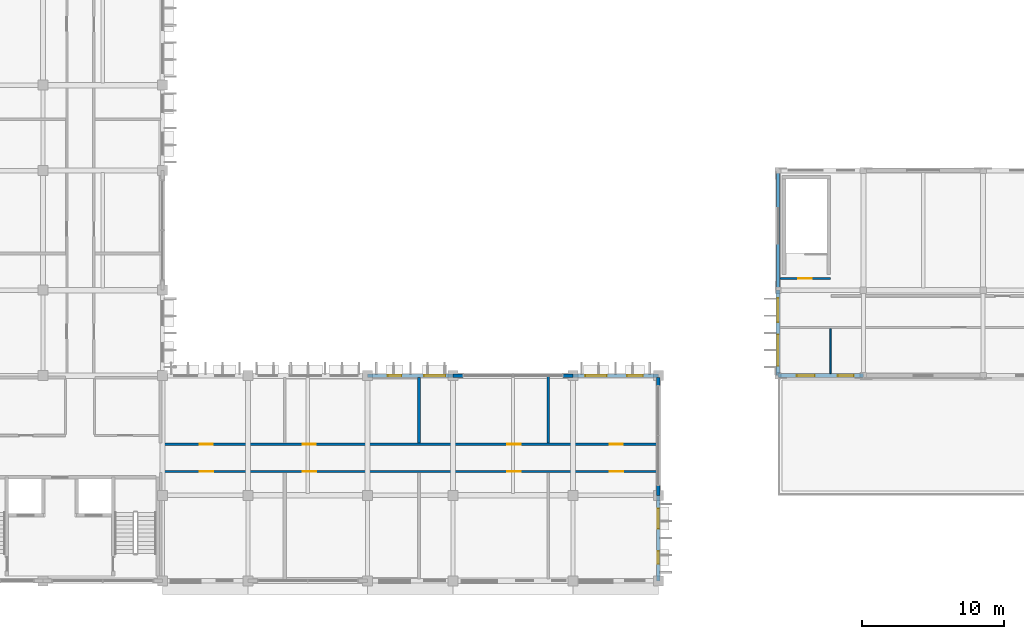
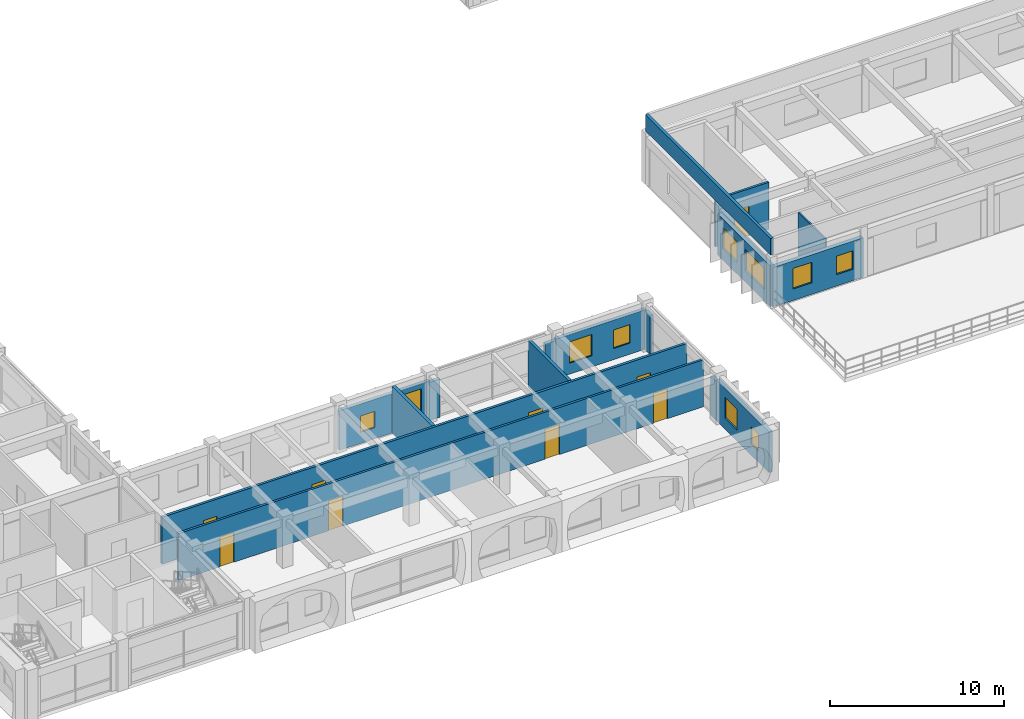
# One storey, part 48 of 88: 16 walls, 10 windows, 9 doors, 19 openings.
"""IFC4 building model written with IfcOpenShell, lengths in metres."""

from ifc_helpers import new_model, si_unit, direction, frame, frame_2d, origin, place, context, subcontext, project, spatial, rectangle, extrude, material, layer, layer_set, type_object, element, fill, save


model = new_model("IFC4")

# Units and contexts
model_context = context("Model", 3, precision=1e-05, world=origin(), true_north=direction((0.0, 1.0)))
body_context = subcontext(model_context, "Body", "Model", "MODEL_VIEW")
ifc_project = project(units=[si_unit("LENGTHUNIT", "METRE"), si_unit("AREAUNIT", "SQUARE_METRE"), si_unit("VOLUMEUNIT", "CUBIC_METRE"), si_unit("PLANEANGLEUNIT", "RADIAN"), si_unit("MASSUNIT", "GRAM", prefix="KILO"), si_unit("THERMODYNAMICTEMPERATUREUNIT", "KELVIN")], contexts=[model_context])

# Site, building, storey
site_placement = place(None, origin())
site = spatial("IfcSite", under=ifc_project, at=site_placement, CompositionType="ELEMENT")
building_placement = place(site_placement, origin())
building = spatial("IfcBuilding", under=site, at=building_placement, Name="Thalorik Housing Commons", CompositionType="ELEMENT")
storey_placement = place(building_placement, frame((0.0, 0.0, 4.5)))
storey = spatial("IfcBuildingStorey", under=building, at=storey_placement, Name="L01", CompositionType="ELEMENT", Elevation=4.5)

# Wall, openings, doors
ifc_material_1 = material(Name="Masonry fire-rated corridor wall", Category="masonry")
ifc_layer_1 = layer(ifc_material_1, 0.14990234375, Name="Masonry fire-rated corridor wall", Category="masonry")
ifc_layer_set_1 = layer_set([ifc_layer_1], Name="Masonry fire-rated corridor wall")
wall_type_1 = type_object("IfcWallType", Name="ARC-WAL-CORR-150", PredefinedType="PARTITIONING", material=ifc_layer_set_1)
wall_1_placement = place(storey_placement, frame((22.659912109375, 16.080078125, 0.0), z_axis=(0.0, 0.0, 1.0), x_axis=(1.0, 0.0, 0.0)))
wall_1 = element("IfcWall", 1, at=wall_1_placement, inside=storey, type_object=wall_type_1, Name="L01 Block C S Corridor Wall 1", PredefinedType="PARTITIONING", context=body_context, shape_type="SweptSolid", body=[
    extrude(rectangle(XDim=34.880126953125, YDim=0.14990234375, at=frame_2d((17.43994140625, 0.0))), origin(), (0.0, 0.0, 1.0), 3.300048828125),
])
opening_1_placement = place(wall_1_placement, frame((2.7490234375, 0.0, 0.0)))
opening_1 = element("IfcOpeningElement", 2, at=opening_1_placement, cuts=wall_1, Name="Opening ID-1594", PredefinedType="OPENING", context=body_context, shape_type="SweptSolid", body=[
    extrude(rectangle(XDim=0.949951171875, YDim=2.10009765625, at=frame_2d((0.47509765625, 1.050048828125))), frame((0.0, 0.0849609375, 0.0), z_axis=(0.0, -1.0, 0.0), x_axis=(1.0, 0.0, 0.0)), (0.0, 0.0, 1.0), 0.169921875),
])
opening_2_placement = place(wall_1_placement, frame((9.96630859375, 0.0, 0.0)))
opening_2 = element("IfcOpeningElement", 3, at=opening_2_placement, cuts=wall_1, Name="Opening ID-1595", PredefinedType="OPENING", context=body_context, shape_type="SweptSolid", body=[
    extrude(rectangle(XDim=0.949951171875, YDim=2.10009765625, at=frame_2d((0.47509765625, 1.050048828125))), frame((0.0, 0.0849609375, 0.0), z_axis=(0.0, -1.0, 0.0), x_axis=(1.0, 0.0, 0.0)), (0.0, 0.0, 1.0), 0.169921875),
])
opening_3_placement = place(wall_1_placement, frame((24.343017578125, 0.0, 0.0)))
opening_3 = element("IfcOpeningElement", 4, at=opening_3_placement, cuts=wall_1, Name="Opening ID-1596", PredefinedType="OPENING", context=body_context, shape_type="SweptSolid", body=[
    extrude(rectangle(XDim=0.949951171875, YDim=2.10009765625, at=frame_2d((0.47509765625, 1.050048828125))), frame((0.0, 0.0849609375, 0.0), z_axis=(0.0, -1.0, 0.0), x_axis=(1.0, 0.0, 0.0)), (0.0, 0.0, 1.0), 0.169921875),
])
opening_4_placement = place(wall_1_placement, frame((31.5419921875, 0.0, 0.0)))
opening_4 = element("IfcOpeningElement", 5, at=opening_4_placement, cuts=wall_1, Name="Opening ID-1597", PredefinedType="OPENING", context=body_context, shape_type="SweptSolid", body=[
    extrude(rectangle(XDim=0.949951171875, YDim=2.10009765625, at=frame_2d((0.47509765625, 1.050048828125))), frame((0.0, 0.0849609375, 0.0), z_axis=(0.0, -1.0, 0.0), x_axis=(1.0, 0.0, 0.0)), (0.0, 0.0, 1.0), 0.169921875),
])
ifc_material_2 = material(Name="Steel S355", Category="steel")
door_type_1 = type_object("IfcDoorType", Name="ARC-DR-FD60-950", OperationType="NOTDEFINED", PredefinedType="DOOR", material=ifc_material_2)
door_1_placement = place(opening_1_placement, origin())
door_1 = element("IfcDoor", 6, at=door_1_placement, inside=storey, type_object=door_type_1, Name="L01 Community Study Hall Entrance Door", OperationType="SINGLE_SWING_LEFT", OverallHeight=2.10009765625, OverallWidth=0.949951171875, PredefinedType="DOOR", context=body_context, shape_type="SweptSolid", body=[
    extrude(rectangle(XDim=0.949951171875, YDim=2.10009765625, at=frame_2d((0.47509765625, 1.050048828125))), frame((0.0, 0.02490234375, 0.0), z_axis=(0.0, -1.0, 0.0), x_axis=(1.0, 0.0, 0.0)), (0.0, 0.0, 1.0), 0.050048828125),
])
fill(opening_1, door_1)
door_2_placement = place(opening_2_placement, origin())
door_2 = element("IfcDoor", 7, at=door_2_placement, inside=storey, type_object=door_type_1, Name="L01 Shared Sewing Workshop Entrance Door", OperationType="SINGLE_SWING_RIGHT", OverallHeight=2.10009765625, OverallWidth=0.949951171875, PredefinedType="DOOR", context=body_context, shape_type="SweptSolid", body=[
    extrude(rectangle(XDim=0.949951171875, YDim=2.10009765625, at=frame_2d((0.47509765625, 1.050048828125))), frame((0.0, 0.02490234375, 0.0), z_axis=(0.0, -1.0, 0.0), x_axis=(1.0, 0.0, 0.0)), (0.0, 0.0, 1.0), 0.050048828125),
])
fill(opening_2, door_2)
door_3_placement = place(opening_3_placement, origin())
door_3 = element("IfcDoor", 8, at=door_3_placement, inside=storey, type_object=door_type_1, Name="L01 Digital Media Room Entrance Door", OperationType="SINGLE_SWING_LEFT", OverallHeight=2.10009765625, OverallWidth=0.949951171875, PredefinedType="DOOR", context=body_context, shape_type="SweptSolid", body=[
    extrude(rectangle(XDim=0.949951171875, YDim=2.10009765625, at=frame_2d((0.47509765625, 1.050048828125))), frame((0.0, 0.02490234375, 0.0), z_axis=(0.0, -1.0, 0.0), x_axis=(1.0, 0.0, 0.0)), (0.0, 0.0, 1.0), 0.050048828125),
])
fill(opening_3, door_3)
door_4_placement = place(opening_4_placement, origin())
door_4 = element("IfcDoor", 9, at=door_4_placement, inside=storey, type_object=door_type_1, Name="L01 Youth Reading Room Entrance Door", OperationType="SINGLE_SWING_RIGHT", OverallHeight=2.10009765625, OverallWidth=0.949951171875, PredefinedType="DOOR", context=body_context, shape_type="SweptSolid", body=[
    extrude(rectangle(XDim=0.949951171875, YDim=2.10009765625, at=frame_2d((0.47509765625, 1.050048828125))), frame((0.0, 0.02490234375, 0.0), z_axis=(0.0, -1.0, 0.0), x_axis=(1.0, 0.0, 0.0)), (0.0, 0.0, 1.0), 0.050048828125),
])
fill(opening_4, door_4)

ifc_layer_2 = layer(ifc_material_1, 0.1650390625, Name="Masonry fire-rated corridor wall", Category="masonry")
ifc_layer_set_2 = layer_set([ifc_layer_2], Name="Masonry fire-rated corridor wall")
wall_type_2 = type_object("IfcWallType", Name="ARC-WAL-CORR-165", PredefinedType="PARTITIONING", material=ifc_layer_set_2)
wall_2_placement = place(storey_placement, frame((22.659912109375, 17.97998046875, 0.0), z_axis=(0.0, 0.0, 1.0), x_axis=(1.0, 0.0, 0.0)))
wall_2 = element("IfcWall", 10, at=wall_2_placement, inside=storey, type_object=wall_type_2, Name="L01 Block C S Corridor Wall 2", PredefinedType="PARTITIONING", context=body_context, shape_type="SweptSolid", body=[
    extrude(rectangle(XDim=34.880126953125, YDim=0.1650390625, at=frame_2d((17.43994140625, 0.0))), origin(), (0.0, 0.0, 1.0), 3.300048828125),
])
opening_5_placement = place(wall_2_placement, frame((2.74560546875, 0.0, 0.0)))
opening_5 = element("IfcOpeningElement", 11, at=opening_5_placement, cuts=wall_2, Name="Opening ID-1598", PredefinedType="OPENING", context=body_context, shape_type="SweptSolid", body=[
    extrude(rectangle(XDim=0.919921875, YDim=2.10009765625, at=frame_2d((0.4599609375, 1.050048828125))), frame((0.0, 0.092529296875, 0.0), z_axis=(0.0, -1.0, 0.0), x_axis=(1.0, 0.0, 0.0)), (0.0, 0.0, 1.0), 0.18505859375),
])
opening_6_placement = place(wall_2_placement, frame((9.965087890625, 0.0, 0.0)))
opening_6 = element("IfcOpeningElement", 12, at=opening_6_placement, cuts=wall_2, Name="Opening ID-1599", PredefinedType="OPENING", context=body_context, shape_type="SweptSolid", body=[
    extrude(rectangle(XDim=0.919921875, YDim=2.10009765625, at=frame_2d((0.4599609375, 1.050048828125))), frame((0.0, 0.092529296875, 0.0), z_axis=(0.0, -1.0, 0.0), x_axis=(1.0, 0.0, 0.0)), (0.0, 0.0, 1.0), 0.18505859375),
])
opening_7_placement = place(wall_2_placement, frame((24.335205078125, 0.0, 0.0)))
opening_7 = element("IfcOpeningElement", 13, at=opening_7_placement, cuts=wall_2, Name="Opening ID-1600", PredefinedType="OPENING", context=body_context, shape_type="SweptSolid", body=[
    extrude(rectangle(XDim=0.9599609375, YDim=2.1201171875, at=frame_2d((0.47998046875, 1.06005859375))), frame((0.0, 0.092529296875, 0.0), z_axis=(0.0, -1.0, 0.0), x_axis=(1.0, 0.0, 0.0)), (0.0, 0.0, 1.0), 0.18505859375),
])
opening_8_placement = place(wall_2_placement, frame((31.535400390625, 0.0, 0.0)))
opening_8 = element("IfcOpeningElement", 14, at=opening_8_placement, cuts=wall_2, Name="Opening ID-1601", PredefinedType="OPENING", context=body_context, shape_type="SweptSolid", body=[
    extrude(rectangle(XDim=0.919921875, YDim=2.10009765625, at=frame_2d((0.4599609375, 1.050048828125))), frame((0.0, 0.092529296875, 0.0), z_axis=(0.0, -1.0, 0.0), x_axis=(1.0, 0.0, 0.0)), (0.0, 0.0, 1.0), 0.18505859375),
])
ifc_material_3 = material(Name="Solid core hardwood timber", Category="wood")
door_type_2 = type_object("IfcDoorType", Name="ARC-DR-FD30-920", OperationType="NOTDEFINED", PredefinedType="DOOR", material=ifc_material_3)
door_5_placement = place(opening_5_placement, origin())
door_5 = element("IfcDoor", 15, at=door_5_placement, inside=storey, type_object=door_type_2, Name="L01 Music and Craft Practice Room Door", OperationType="SINGLE_SWING_LEFT", OverallHeight=2.10009765625, OverallWidth=0.919921875, PredefinedType="DOOR", context=body_context, shape_type="SweptSolid", body=[
    extrude(rectangle(XDim=0.919921875, YDim=2.10009765625, at=frame_2d((0.4599609375, 1.050048828125))), frame((0.0, 0.02490234375, 0.0), z_axis=(0.0, -1.0, 0.0), x_axis=(1.0, 0.0, 0.0)), (0.0, 0.0, 1.0), 0.050048828125),
])
fill(opening_5, door_5)
door_6_placement = place(opening_6_placement, origin())
door_6 = element("IfcDoor", 16, at=door_6_placement, inside=storey, type_object=door_type_2, Name="L01 Ceramics and Print Workshop Door", OperationType="SINGLE_SWING_RIGHT", OverallHeight=2.10009765625, OverallWidth=0.919921875, PredefinedType="DOOR", context=body_context, shape_type="SweptSolid", body=[
    extrude(rectangle(XDim=0.919921875, YDim=2.10009765625, at=frame_2d((0.4599609375, 1.050048828125))), frame((0.0, 0.02490234375, 0.0), z_axis=(0.0, -1.0, 0.0), x_axis=(1.0, 0.0, 0.0)), (0.0, 0.0, 1.0), 0.050048828125),
])
fill(opening_6, door_6)
door_7_placement = place(opening_8_placement, origin())
door_7 = element("IfcDoor", 17, at=door_7_placement, inside=storey, type_object=door_type_2, Name="L01 Residents Study Room Door", OperationType="SINGLE_SWING_RIGHT", OverallHeight=2.10009765625, OverallWidth=0.919921875, PredefinedType="DOOR", context=body_context, shape_type="SweptSolid", body=[
    extrude(rectangle(XDim=0.919921875, YDim=2.10009765625, at=frame_2d((0.4599609375, 1.050048828125))), frame((0.0, 0.02490234375, 0.0), z_axis=(0.0, -1.0, 0.0), x_axis=(1.0, 0.0, 0.0)), (0.0, 0.0, 1.0), 0.050048828125),
])
fill(opening_8, door_7)
door_type_3 = type_object("IfcDoorType", Name="ARC-DR-FD30-960", OperationType="NOTDEFINED", PredefinedType="DOOR", material=ifc_material_3)
door_8_placement = place(opening_7_placement, origin())
door_8 = element("IfcDoor", 18, at=door_8_placement, inside=storey, type_object=door_type_3, Name="L01 Residents Health and Quiet Room Door", OperationType="SINGLE_SWING_LEFT", OverallHeight=2.1201171875, OverallWidth=0.9599609375, PredefinedType="DOOR", context=body_context, shape_type="SweptSolid", body=[
    extrude(rectangle(XDim=0.9599609375, YDim=2.1201171875, at=frame_2d((0.47998046875, 1.06005859375))), frame((0.0, 0.02490234375, 0.0), z_axis=(0.0, -1.0, 0.0), x_axis=(1.0, 0.0, 0.0)), (0.0, 0.0, 1.0), 0.050048828125),
])
fill(opening_7, door_8)

# Wall, openings, windows
ifc_material_4 = material(Name="White precast concrete C40/50", Category="concrete")
ifc_layer_3 = layer(ifc_material_4, 0.235107421875, Name="White precast concrete C40/50", Category="concrete")
ifc_layer_set_3 = layer_set([ifc_layer_3], Name="White precast concrete C40/50")
wall_type_3 = type_object("IfcWallType", Name="ARC-WAL-EXT-235", PredefinedType="STANDARD", material=ifc_layer_set_3)
wall_3_placement = place(storey_placement, frame((57.60009765625, 8.39990234375, 0.0), z_axis=(0.0, 0.0, 1.0), x_axis=(0.0, 1.0, 0.0)))
wall_3 = element("IfcWall", 19, at=wall_3_placement, inside=storey, type_object=wall_type_3, Name="L01 Exterior Wall WAL-EXT-L01-C-0870", PredefinedType="STANDARD", context=body_context, shape_type="SweptSolid", body=[
    extrude(rectangle(XDim=6.0, YDim=0.235107421875, at=frame_2d((3.0, 0.0))), origin(), (0.0, 0.0, 1.0), 2.875),
])
opening_9_placement = place(wall_3_placement, frame((1.179931640625, 0.0, 0.780029296875)))
opening_9 = element("IfcOpeningElement", 20, at=opening_9_placement, cuts=wall_3, Name="Opening W-01", PredefinedType="OPENING", context=body_context, shape_type="SweptSolid", body=[
    extrude(rectangle(XDim=0.89990234375, YDim=1.199951171875, at=frame_2d((0.449951171875, 0.60009765625))), frame((0.0, 0.12744140625, 0.0), z_axis=(0.0, -1.0, 0.0), x_axis=(1.0, 0.0, 0.0)), (0.0, 0.0, 1.0), 0.255126953125),
])
opening_10_placement = place(wall_3_placement, frame((3.669921875, 0.0, 0.780029296875)))
opening_10 = element("IfcOpeningElement", 21, at=opening_10_placement, cuts=wall_3, Name="Opening W-08", PredefinedType="OPENING", context=body_context, shape_type="SweptSolid", body=[
    extrude(rectangle(XDim=1.39990234375, YDim=1.449951171875, at=frame_2d((0.699951171875, 0.72509765625))), frame((0.0, 0.12744140625, 0.0), z_axis=(0.0, -1.0, 0.0), x_axis=(1.0, 0.0, 0.0)), (0.0, 0.0, 1.0), 0.255126953125),
])
ifc_material_5 = material(Name="Anodised aluminium and solar-control low-E glass", Category="aluminium")
window_type_1 = type_object("IfcWindowType", Name="ARC-WIN-01", PartitioningType="SINGLE_PANEL", PredefinedType="WINDOW", material=ifc_material_5)
window_1_placement = place(opening_9_placement, origin())
window_1 = element("IfcWindow", 22, at=window_1_placement, inside=storey, type_object=window_type_1, Name="L01 Facade Window 1608", OverallHeight=1.199951171875, OverallWidth=0.89990234375, PartitioningType="SINGLE_PANEL", PredefinedType="WINDOW", context=body_context, shape_type="SweptSolid", body=[
    extrude(rectangle(XDim=0.89990234375, YDim=1.199951171875, at=frame_2d((0.449951171875, 0.60009765625))), frame((0.0, 0.030029296875, 0.0), z_axis=(0.0, -1.0, 0.0), x_axis=(1.0, 0.0, 0.0)), (0.0, 0.0, 1.0), 0.06005859375),
])
fill(opening_9, window_1)
window_type_2 = type_object("IfcWindowType", Name="ARC-WIN-08", PartitioningType="SINGLE_PANEL", PredefinedType="WINDOW", material=ifc_material_5)
window_2_placement = place(opening_10_placement, origin())
window_2 = element("IfcWindow", 23, at=window_2_placement, inside=storey, type_object=window_type_2, Name="L01 Facade Window 1609", OverallHeight=1.449951171875, OverallWidth=1.39990234375, PartitioningType="SINGLE_PANEL", PredefinedType="WINDOW", context=body_context, shape_type="SweptSolid", body=[
    extrude(rectangle(XDim=1.39990234375, YDim=1.449951171875, at=frame_2d((0.699951171875, 0.72509765625))), frame((0.0, 0.030029296875, 0.0), z_axis=(0.0, -1.0, 0.0), x_axis=(1.0, 0.0, 0.0)), (0.0, 0.0, 1.0), 0.06005859375),
])
fill(opening_10, window_2)

# Walls
wall_4_placement = place(storey_placement, frame((57.60009765625, 14.39990234375, 0.0), z_axis=(0.0, 0.0, 1.0), x_axis=(0.0, 1.0, 0.0)))
element("IfcWall", 24, at=wall_4_placement, inside=storey, type_object=wall_type_3, Name="L01 Exterior Wall WAL-PIERL-L01-C-0871", PredefinedType="STANDARD", context=body_context, shape_type="SweptSolid", body=[
    extrude(rectangle(XDim=0.7001953125, YDim=0.235107421875, at=frame_2d((0.35009765625, 0.0))), origin(), (0.0, 0.0, 1.0), 2.72509765625),
])
wall_5_placement = place(storey_placement, frame((57.60009765625, 22.10009765625, 0.0), z_axis=(0.0, 0.0, 1.0), x_axis=(0.0, 1.0, 0.0)))
element("IfcWall", 25, at=wall_5_placement, inside=storey, type_object=wall_type_3, Name="L01 Exterior Wall WAL-PIERR-L01-C-0871", PredefinedType="STANDARD", context=body_context, shape_type="SweptSolid", body=[
    extrude(rectangle(XDim=0.580322265625, YDim=0.235107421875, at=frame_2d((0.2900390625, 0.0))), origin(), (0.0, 0.0, 1.0), 2.72509765625),
])

# Wall, openings, windows
wall_6_placement = place(storey_placement, frame((57.60009765625, 22.800048828125, 0.0), z_axis=(0.0, 0.0, 1.0), x_axis=(-1.0, 0.0, 0.0)))
wall_6 = element("IfcWall", 26, at=wall_6_placement, inside=storey, type_object=wall_type_3, Name="L01 Exterior Wall WAL-EXT-L01-C-0872", PredefinedType="STANDARD", context=body_context, shape_type="SweptSolid", body=[
    extrude(rectangle(XDim=6.0, YDim=0.235107421875, at=frame_2d((3.0, 0.0))), origin(), (0.0, 0.0, 1.0), 2.77490234375),
])
opening_11_placement = place(wall_6_placement, frame((1.080078125, 0.0, 0.780029296875)))
opening_11 = element("IfcOpeningElement", 27, at=opening_11_placement, cuts=wall_6, Name="Opening W-03", PredefinedType="OPENING", context=body_context, shape_type="SweptSolid", body=[
    extrude(rectangle(XDim=1.10009765625, YDim=1.300048828125, at=frame_2d((0.550048828125, 0.64990234375))), frame((0.0, 0.12744140625, 0.0), z_axis=(0.0, -1.0, 0.0), x_axis=(1.0, 0.0, 0.0)), (0.0, 0.0, 1.0), 0.255126953125),
])
opening_12_placement = place(wall_6_placement, frame((3.6201171875, 0.0, 0.780029296875)))
opening_12 = element("IfcOpeningElement", 28, at=opening_12_placement, cuts=wall_6, Name="Opening W-10", PredefinedType="OPENING", context=body_context, shape_type="SweptSolid", body=[
    extrude(rectangle(XDim=1.5, YDim=1.5, at=frame_2d((0.75, 0.75))), frame((0.0, 0.12744140625, 0.0), z_axis=(0.0, -1.0, 0.0), x_axis=(1.0, 0.0, 0.0)), (0.0, 0.0, 1.0), 0.255126953125),
])
window_type_3 = type_object("IfcWindowType", Name="ARC-WIN-03", PartitioningType="SINGLE_PANEL", PredefinedType="WINDOW", material=ifc_material_5)
window_3_placement = place(opening_11_placement, origin())
window_3 = element("IfcWindow", 29, at=window_3_placement, inside=storey, type_object=window_type_3, Name="L01 Facade Window 1610", OverallHeight=1.300048828125, OverallWidth=1.10009765625, PartitioningType="SINGLE_PANEL", PredefinedType="WINDOW", context=body_context, shape_type="SweptSolid", body=[
    extrude(rectangle(XDim=1.10009765625, YDim=1.300048828125, at=frame_2d((0.550048828125, 0.64990234375))), frame((0.0, 0.030029296875, 0.0), z_axis=(0.0, -1.0, 0.0), x_axis=(1.0, 0.0, 0.0)), (0.0, 0.0, 1.0), 0.06005859375),
])
fill(opening_11, window_3)
window_type_4 = type_object("IfcWindowType", Name="ARC-WIN-10", PartitioningType="SINGLE_PANEL", PredefinedType="WINDOW", material=ifc_material_5)
window_4_placement = place(opening_12_placement, origin())
window_4 = element("IfcWindow", 30, at=window_4_placement, inside=storey, type_object=window_type_4, Name="L01 Facade Window 1611", OverallHeight=1.5, OverallWidth=1.5, PartitioningType="SINGLE_PANEL", PredefinedType="WINDOW", context=body_context, shape_type="SweptSolid", body=[
    extrude(rectangle(XDim=1.5, YDim=1.5, at=frame_2d((0.75, 0.75))), frame((0.0, 0.030029296875, 0.0), z_axis=(0.0, -1.0, 0.0), x_axis=(1.0, 0.0, 0.0)), (0.0, 0.0, 1.0), 0.06005859375),
])
fill(opening_12, window_4)

# Walls
wall_7_placement = place(storey_placement, frame((51.60009765625, 22.800048828125, 0.0), z_axis=(0.0, 0.0, 1.0), x_axis=(-1.0, 0.0, 0.0)))
element("IfcWall", 31, at=wall_7_placement, inside=storey, type_object=wall_type_3, Name="L01 Exterior Wall WAL-PIERL-L01-C-0873", PredefinedType="STANDARD", context=body_context, shape_type="SweptSolid", body=[
    extrude(rectangle(XDim=0.7001953125, YDim=0.235107421875, at=frame_2d((0.35009765625, 0.0))), origin(), (0.0, 0.0, 1.0), 2.675048828125),
])
wall_8_placement = place(storey_placement, frame((43.89990234375, 22.800048828125, 0.0), z_axis=(0.0, 0.0, 1.0), x_axis=(-1.0, 0.0, 0.0)))
element("IfcWall", 32, at=wall_8_placement, inside=storey, type_object=wall_type_3, Name="L01 Exterior Wall WAL-PIERR-L01-C-0873", PredefinedType="STANDARD", context=body_context, shape_type="SweptSolid", body=[
    extrude(rectangle(XDim=0.699951171875, YDim=0.235107421875, at=frame_2d((0.35009765625, 0.0))), origin(), (0.0, 0.0, 1.0), 2.675048828125),
])

# Wall, openings, windows
wall_9_placement = place(storey_placement, frame((43.199951171875, 22.800048828125, 0.0), z_axis=(0.0, 0.0, 1.0), x_axis=(-1.0, 0.0, 0.0)))
wall_9 = element("IfcWall", 33, at=wall_9_placement, inside=storey, type_object=wall_type_3, Name="L01 Exterior Wall WAL-EXT-L01-C-0874", PredefinedType="STANDARD", context=body_context, shape_type="SweptSolid", body=[
    extrude(rectangle(XDim=6.0, YDim=0.235107421875, at=frame_2d((3.0, 0.0))), origin(), (0.0, 0.0, 1.0), 2.77490234375),
])
opening_13_placement = place(wall_9_placement, frame((0.544921875, 0.0, 0.780029296875)))
opening_13 = element("IfcOpeningElement", 34, at=opening_13_placement, cuts=wall_9, Name="Opening W-11", PredefinedType="OPENING", context=body_context, shape_type="SweptSolid", body=[
    extrude(rectangle(XDim=1.5, YDim=1.64990234375, at=frame_2d((0.75, 0.824951171875))), frame((0.0, 0.12744140625, 0.0), z_axis=(0.0, -1.0, 0.0), x_axis=(1.0, 0.0, 0.0)), (0.0, 0.0, 1.0), 0.255126953125),
])
opening_14_placement = place(wall_9_placement, frame((3.6298828125, 0.0, 0.780029296875)))
opening_14 = element("IfcOpeningElement", 35, at=opening_14_placement, cuts=wall_9, Name="Opening W-43", PredefinedType="OPENING", context=body_context, shape_type="SweptSolid", body=[
    extrude(rectangle(XDim=0.949951171875, YDim=1.14990234375, at=frame_2d((0.47509765625, 0.574951171875))), frame((0.0, 0.12744140625, 0.0), z_axis=(0.0, -1.0, 0.0), x_axis=(1.0, 0.0, 0.0)), (0.0, 0.0, 1.0), 0.255126953125),
])
window_type_5 = type_object("IfcWindowType", Name="ARC-WIN-11", PartitioningType="SINGLE_PANEL", PredefinedType="WINDOW", material=ifc_material_5)
window_5_placement = place(opening_13_placement, origin())
window_5 = element("IfcWindow", 36, at=window_5_placement, inside=storey, type_object=window_type_5, Name="L01 Facade Window 1612", OverallHeight=1.64990234375, OverallWidth=1.5, PartitioningType="SINGLE_PANEL", PredefinedType="WINDOW", context=body_context, shape_type="SweptSolid", body=[
    extrude(rectangle(XDim=1.5, YDim=1.64990234375, at=frame_2d((0.75, 0.824951171875))), frame((0.0, 0.030029296875, 0.0), z_axis=(0.0, -1.0, 0.0), x_axis=(1.0, 0.0, 0.0)), (0.0, 0.0, 1.0), 0.06005859375),
])
fill(opening_13, window_5)
window_type_6 = type_object("IfcWindowType", Name="ARC-WIN-43", PartitioningType="SINGLE_PANEL", PredefinedType="WINDOW", material=ifc_material_5)
window_6_placement = place(opening_14_placement, origin())
window_6 = element("IfcWindow", 37, at=window_6_placement, inside=storey, type_object=window_type_6, Name="L01 Facade Window 1613", OverallHeight=1.14990234375, OverallWidth=0.949951171875, PartitioningType="SINGLE_PANEL", PredefinedType="WINDOW", context=body_context, shape_type="SweptSolid", body=[
    extrude(rectangle(XDim=0.949951171875, YDim=1.14990234375, at=frame_2d((0.47509765625, 0.574951171875))), frame((0.0, 0.030029296875, 0.0), z_axis=(0.0, -1.0, 0.0), x_axis=(1.0, 0.0, 0.0)), (0.0, 0.0, 1.0), 0.06005859375),
])
fill(opening_14, window_6)

ifc_layer_4 = layer(ifc_material_4, 0.27490234375, Name="White precast concrete C40/50", Category="concrete")
ifc_layer_set_4 = layer_set([ifc_layer_4], Name="White precast concrete C40/50")
wall_type_4 = type_object("IfcWallType", Name="ARC-WAL-EXT-275", PredefinedType="STANDARD", material=ifc_layer_set_4)
wall_10_placement = place(storey_placement, frame((66.0, 22.800048828125, 0.0), z_axis=(0.0, 0.0, 1.0), x_axis=(1.0, 0.0, 0.0)))
wall_10 = element("IfcWall", 38, at=wall_10_placement, inside=storey, type_object=wall_type_4, Name="L01 Exterior Wall WAL-SHOP-L01-1379", PredefinedType="STANDARD", context=body_context, shape_type="SweptSolid", body=[
    extrude(rectangle(XDim=6.0, YDim=0.27490234375, at=frame_2d((3.0, 0.0))), origin(), (0.0, 0.0, 1.0), 2.77490234375),
])
opening_15_placement = place(wall_10_placement, frame((1.320068359375, 0.0, 0.800048828125)))
opening_15 = element("IfcOpeningElement", 39, at=opening_15_placement, cuts=wall_10, Name="Opening W-47", PredefinedType="OPENING", context=body_context, shape_type="SweptSolid", body=[
    extrude(rectangle(XDim=1.25, YDim=1.449951171875, at=frame_2d((0.625, 0.72509765625))), frame((0.0, 0.1474609375, 0.0), z_axis=(0.0, -1.0, 0.0), x_axis=(1.0, 0.0, 0.0)), (0.0, 0.0, 1.0), 0.294921875),
])
opening_16_placement = place(wall_10_placement, frame((4.205078125, 0.0, 0.800048828125)))
opening_16 = element("IfcOpeningElement", 40, at=opening_16_placement, cuts=wall_10, Name="Opening W-03", PredefinedType="OPENING", context=body_context, shape_type="SweptSolid", body=[
    extrude(rectangle(XDim=1.10009765625, YDim=1.300048828125, at=frame_2d((0.550048828125, 0.64990234375))), frame((0.0, 0.1474609375, 0.0), z_axis=(0.0, -1.0, 0.0), x_axis=(1.0, 0.0, 0.0)), (0.0, 0.0, 1.0), 0.294921875),
])
window_7_placement = place(opening_16_placement, origin())
window_7 = element("IfcWindow", 41, at=window_7_placement, inside=storey, type_object=window_type_3, Name="L01 Facade Window 2414", OverallHeight=1.300048828125, OverallWidth=1.10009765625, PartitioningType="SINGLE_PANEL", PredefinedType="WINDOW", context=body_context, shape_type="SweptSolid", body=[
    extrude(rectangle(XDim=1.10009765625, YDim=1.300048828125, at=frame_2d((0.550048828125, 0.64990234375))), frame((0.0, 0.030029296875, 0.0), z_axis=(0.0, -1.0, 0.0), x_axis=(1.0, 0.0, 0.0)), (0.0, 0.0, 1.0), 0.06005859375),
])
fill(opening_16, window_7)
window_type_7 = type_object("IfcWindowType", Name="ARC-WIN-47", PartitioningType="SINGLE_PANEL", PredefinedType="WINDOW", material=ifc_material_5)
window_8_placement = place(opening_15_placement, origin())
window_8 = element("IfcWindow", 42, at=window_8_placement, inside=storey, type_object=window_type_7, Name="L01 Facade Window 2413", OverallHeight=1.449951171875, OverallWidth=1.25, PartitioningType="SINGLE_PANEL", PredefinedType="WINDOW", context=body_context, shape_type="SweptSolid", body=[
    extrude(rectangle(XDim=1.25, YDim=1.449951171875, at=frame_2d((0.625, 0.72509765625))), frame((0.0, 0.030029296875, 0.0), z_axis=(0.0, -1.0, 0.0), x_axis=(1.0, 0.0, 0.0)), (0.0, 0.0, 1.0), 0.06005859375),
])
fill(opening_15, window_8)

wall_11_placement = place(storey_placement, frame((66.0, 28.800048828125, 0.0), z_axis=(0.0, 0.0, 1.0), x_axis=(0.0, -1.0, 0.0)))
wall_11 = element("IfcWall", 43, at=wall_11_placement, inside=storey, type_object=wall_type_4, Name="L01 Exterior Wall WAL-SHOP-L01-1396", PredefinedType="STANDARD", context=body_context, shape_type="SweptSolid", body=[
    extrude(rectangle(XDim=6.0, YDim=0.27490234375, at=frame_2d((3.0, 0.0))), origin(), (0.0, 0.0, 1.0), 2.875),
])
opening_17_placement = place(wall_11_placement, frame((0.56494140625, 0.0, 0.800048828125)))
opening_17 = element("IfcOpeningElement", 44, at=opening_17_placement, cuts=wall_11, Name="Opening W-55", PredefinedType="OPENING", context=body_context, shape_type="SweptSolid", body=[
    extrude(rectangle(XDim=1.679931640625, YDim=1.4599609375, at=frame_2d((0.83984375, 0.72998046875))), frame((0.0, 0.1474609375, 0.0), z_axis=(0.0, -1.0, 0.0), x_axis=(1.0, 0.0, 0.0)), (0.0, 0.0, 1.0), 0.294921875),
])
opening_18_placement = place(wall_11_placement, frame((3.125, 0.0, 0.800048828125)))
opening_18 = element("IfcOpeningElement", 45, at=opening_18_placement, cuts=wall_11, Name="Opening W-65", PredefinedType="OPENING", context=body_context, shape_type="SweptSolid", body=[
    extrude(rectangle(XDim=2.179931640625, YDim=1.47998046875, at=frame_2d((1.08984375, 0.739990234375))), frame((0.0, 0.1474609375, 0.0), z_axis=(0.0, -1.0, 0.0), x_axis=(1.0, 0.0, 0.0)), (0.0, 0.0, 1.0), 0.294921875),
])
window_type_8 = type_object("IfcWindowType", Name="ARC-WIN-55", PartitioningType="DOUBLE_PANEL_VERTICAL", PredefinedType="WINDOW", material=ifc_material_5)
window_9_placement = place(opening_17_placement, origin())
window_9 = element("IfcWindow", 46, at=window_9_placement, inside=storey, type_object=window_type_8, Name="L01 Facade Window 2435", OverallHeight=1.4599609375, OverallWidth=1.679931640625, PartitioningType="DOUBLE_PANEL_VERTICAL", PredefinedType="WINDOW", context=body_context, shape_type="SweptSolid", body=[
    extrude(rectangle(XDim=1.679931640625, YDim=1.4599609375, at=frame_2d((0.83984375, 0.72998046875))), frame((0.0, 0.030029296875, 0.0), z_axis=(0.0, -1.0, 0.0), x_axis=(1.0, 0.0, 0.0)), (0.0, 0.0, 1.0), 0.06005859375),
])
fill(opening_17, window_9)
window_type_9 = type_object("IfcWindowType", Name="ARC-WIN-65", PartitioningType="DOUBLE_PANEL_VERTICAL", PredefinedType="WINDOW", material=ifc_material_5)
window_10_placement = place(opening_18_placement, origin())
window_10 = element("IfcWindow", 47, at=window_10_placement, inside=storey, type_object=window_type_9, Name="L01 Facade Window 2436", OverallHeight=1.47998046875, OverallWidth=2.179931640625, PartitioningType="DOUBLE_PANEL_VERTICAL", PredefinedType="WINDOW", context=body_context, shape_type="SweptSolid", body=[
    extrude(rectangle(XDim=2.179931640625, YDim=1.47998046875, at=frame_2d((1.08984375, 0.739990234375))), frame((0.0, 0.030029296875, 0.0), z_axis=(0.0, -1.0, 0.0), x_axis=(1.0, 0.0, 0.0)), (0.0, 0.0, 1.0), 0.06005859375),
])
fill(opening_18, window_10)

# Walls
ifc_layer_5 = layer(ifc_material_4, 0.195068359375, Name="White precast concrete C40/50", Category="concrete")
ifc_layer_set_5 = layer_set([ifc_layer_5], Name="White precast concrete C40/50")
wall_type_5 = type_object("IfcWallType", Name="ARC-WAL-PAR-195", PredefinedType="PARAPET", material=ifc_layer_set_5)
wall_12_placement = place(storey_placement, frame((66.0, 37.199951171875, 3.60009765625), z_axis=(0.0, 0.0, 1.0), x_axis=(0.0, -1.0, 0.0)))
element("IfcWall", 48, at=wall_12_placement, inside=storey, type_object=wall_type_5, Name="L01 Street Shops Roof Parapet 4", PredefinedType="PARAPET", context=body_context, shape_type="SweptSolid", body=[
    extrude(rectangle(XDim=14.39990234375, YDim=0.195068359375, at=frame_2d((7.199951171875, 0.0))), origin(), (0.0, 0.0, 1.0), 1.14990234375),
])
ifc_material_6 = material(Name="Gypsum light stud partition", Category="masonry")
ifc_layer_6 = layer(ifc_material_6, 0.10009765625, Name="Gypsum light stud partition", Category="masonry")
ifc_layer_set_6 = layer_set([ifc_layer_6], Name="Gypsum light stud partition")
wall_type_6 = type_object("IfcWallType", Name="ARC-WAL-PART-100", PredefinedType="PARTITIONING", material=ifc_layer_set_6)
wall_13_placement = place(storey_placement, frame((69.699951171875, 22.939453125, 0.0), z_axis=(0.0, 0.0, 1.0), x_axis=(0.0, 1.0, 0.0)))
element("IfcWall", 49, at=wall_13_placement, inside=storey, type_object=wall_type_6, Name="L01 Mezzanine Room Divider", PredefinedType="PARTITIONING", context=body_context, shape_type="SweptSolid", body=[
    extrude(rectangle(XDim=3.156005859375, YDim=0.10009765625, at=frame_2d((1.578125, 0.0))), origin(), (0.0, 0.0, 1.0), 3.300048828125),
])

# Wall, opening, door
ifc_material_7 = material(Name="Ceramic masonry partition wall", Category="masonry")
ifc_layer_7 = layer(ifc_material_7, 0.14794921875, Name="Ceramic masonry partition wall", Category="masonry")
ifc_layer_set_7 = layer_set([ifc_layer_7], Name="Ceramic masonry partition wall")
wall_type_7 = type_object("IfcWallType", Name="ARC-WAL-PART-150", PredefinedType="PARTITIONING", material=ifc_layer_set_7)
wall_14_placement = place(storey_placement, frame((66.139404296875, 29.6201171875, 0.0), z_axis=(0.0, 0.0, 1.0), x_axis=(1.0, 0.0, 0.0)))
wall_14 = element("IfcWall", 50, at=wall_14_placement, inside=storey, type_object=wall_type_7, Name="L01 Shops West Stair South Wall", PredefinedType="PARTITIONING", context=body_context, shape_type="SweptSolid", body=[
    extrude(rectangle(XDim=3.560546875, YDim=0.14794921875, at=frame_2d((1.7802734375, 0.0))), origin(), (0.0, 0.0, 1.0), 3.300048828125),
])
opening_19_placement = place(wall_14_placement, frame((1.2705078125, 0.0, 0.0)))
opening_19 = element("IfcOpeningElement", 51, at=opening_19_placement, cuts=wall_14, Name="Opening ID-2221", PredefinedType="OPENING", context=body_context, shape_type="SweptSolid", body=[
    extrude(rectangle(XDim=0.949951171875, YDim=2.10009765625, at=frame_2d((0.47509765625, 1.050048828125))), frame((0.0, 0.083984375, 0.0), z_axis=(0.0, -1.0, 0.0), x_axis=(1.0, 0.0, 0.0)), (0.0, 0.0, 1.0), 0.16796875),
])
door_9_placement = place(opening_19_placement, origin())
door_9 = element("IfcDoor", 52, at=door_9_placement, inside=storey, type_object=door_type_1, Name="L01 Stair ST-S1 Fire Door", OperationType="SINGLE_SWING_RIGHT", OverallHeight=2.10009765625, OverallWidth=0.949951171875, PredefinedType="DOOR", context=body_context, shape_type="SweptSolid", body=[
    extrude(rectangle(XDim=0.949951171875, YDim=2.10009765625, at=frame_2d((0.47509765625, 1.050048828125))), frame((0.0, 0.02490234375, 0.0), z_axis=(0.0, -1.0, 0.0), x_axis=(1.0, 0.0, 0.0)), (0.0, 0.0, 1.0), 0.050048828125),
])
fill(opening_19, door_9)

# Walls
ifc_material_8 = material(Name="Precast concrete C40/50 acoustic wall", Category="concrete")
ifc_layer_8 = layer(ifc_material_8, 0.199951171875, Name="Precast concrete C40/50 acoustic wall", Category="concrete")
ifc_layer_set_8 = layer_set([ifc_layer_8], Name="Precast concrete C40/50 acoustic wall")
wall_type_8 = type_object("IfcWallType", Name="ARC-WAL-PARTY-200", PredefinedType="PARTITIONING", material=ifc_layer_set_8)
wall_15_placement = place(storey_placement, frame((49.8701171875, 18.064453125, 0.0), z_axis=(0.0, 0.0, 1.0), x_axis=(0.0, 1.0, 0.0)))
element("IfcWall", 53, at=wall_15_placement, inside=storey, type_object=wall_type_8, Name="L01 Inter-Tenancy Wall 3B", PredefinedType="PARTITIONING", context=body_context, shape_type="SweptSolid", body=[
    extrude(rectangle(XDim=4.675537109375, YDim=0.199951171875, at=frame_2d((2.337890625, 0.0))), origin(), (0.0, 0.0, 1.0), 3.300048828125),
])
ifc_layer_9 = layer(ifc_material_8, 0.219970703125, Name="Precast concrete C40/50 acoustic wall", Category="concrete")
ifc_layer_set_9 = layer_set([ifc_layer_9], Name="Precast concrete C40/50 acoustic wall")
wall_type_9 = type_object("IfcWallType", Name="ARC-WAL-PARTY-220", PredefinedType="PARTITIONING", material=ifc_layer_set_9)
wall_16_placement = place(storey_placement, frame((40.800048828125, 18.064453125, 0.0), z_axis=(0.0, 0.0, 1.0), x_axis=(0.0, 1.0, 0.0)))
element("IfcWall", 54, at=wall_16_placement, inside=storey, type_object=wall_type_9, Name="L01 Inter-Tenancy Wall 2B", PredefinedType="PARTITIONING", context=body_context, shape_type="SweptSolid", body=[
    extrude(rectangle(XDim=4.615966796875, YDim=0.219970703125, at=frame_2d((2.30810546875, 0.0))), origin(), (0.0, 0.0, 1.0), 3.300048828125),
])

save(model, "model.ifc")
